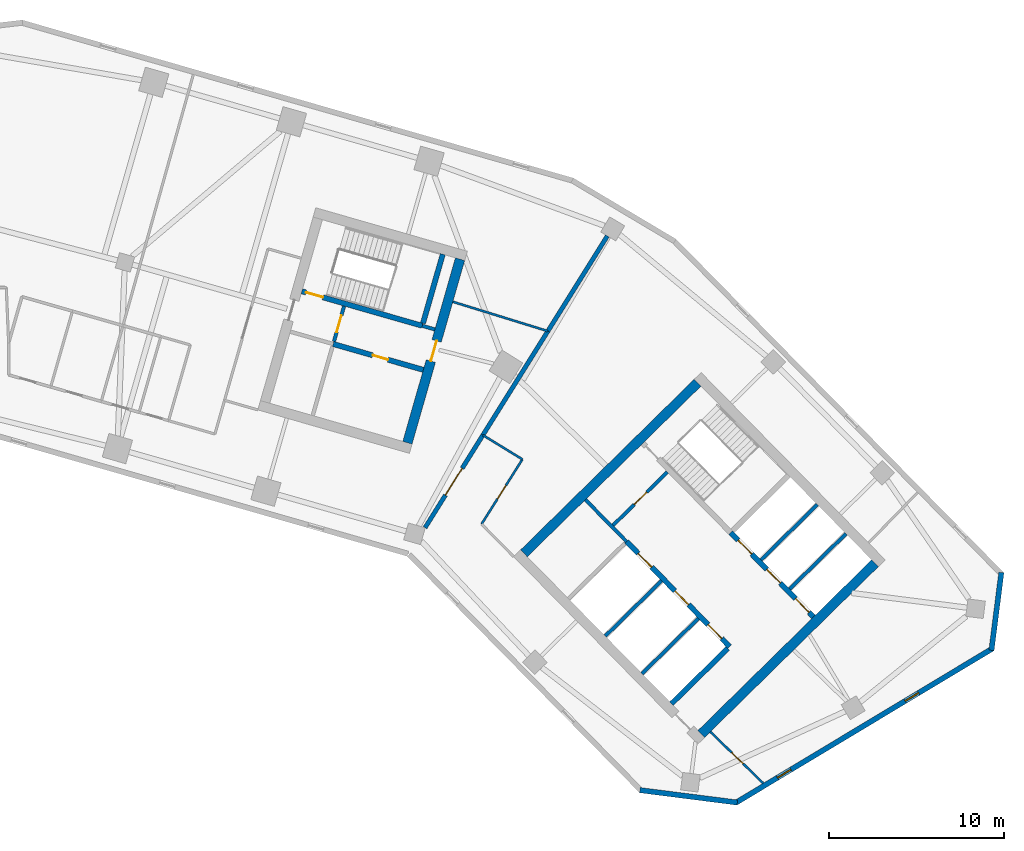
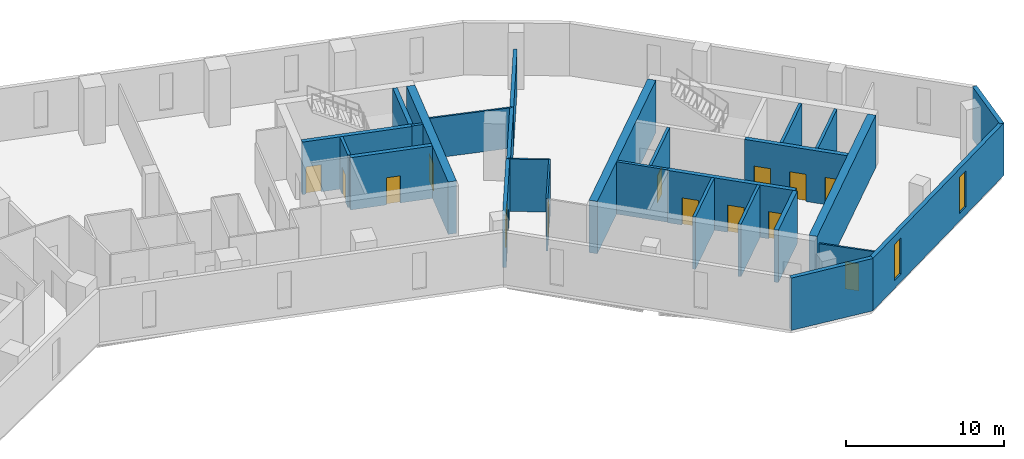
# One storey, part 6 of 10: 27 walls, 14 doors, 2 windows, 16 openings.
"""IFC4 building model written with IfcOpenShell, lengths in metres."""

from ifc_helpers import new_model, si_unit, direction, frame, frame_2d, origin, place, context, subcontext, project, spatial, rectangle, extrude, material, layer, layer_set, type_object, element, fill, save


model = new_model("IFC4")

# Units and contexts
model_context = context("Model", 3, precision=1e-05, world=origin(), true_north=direction((0.0, 1.0)))
body_context = subcontext(model_context, "Body", "Model", "MODEL_VIEW")
ifc_project = project(units=[si_unit("LENGTHUNIT", "METRE"), si_unit("AREAUNIT", "SQUARE_METRE"), si_unit("VOLUMEUNIT", "CUBIC_METRE"), si_unit("PLANEANGLEUNIT", "RADIAN"), si_unit("MASSUNIT", "GRAM", prefix="KILO")], contexts=[model_context])

# Site, building, storey
site_placement = place(None, origin())
site = spatial("IfcSite", under=ifc_project, at=site_placement, CompositionType="ELEMENT")
building_placement = place(site_placement, origin())
building = spatial("IfcBuilding", under=site, at=building_placement, Name="Binnacle Exchange Tower", CompositionType="ELEMENT")
storey_placement = place(building_placement, frame((0.0, 0.0, 145.5)))
storey = spatial("IfcBuildingStorey", under=building, at=storey_placement, Name="L30", CompositionType="ELEMENT", Elevation=145.5)

# Wall, openings, doors
ifc_material_1 = material(Name="Concrete C70/85", Category="concrete")
ifc_layer_1 = layer(ifc_material_1, 0.300048828125)
ifc_layer_set_1 = layer_set([ifc_layer_1], Name="Core wall - front 300")
wall_type_1 = type_object("IfcWallType", Name="Core wall - front 300", PredefinedType="SOLIDWALL", material=ifc_layer_set_1)
wall_1_placement = place(storey_placement, frame((37.8740234375, 41.41552734375, 0.0), z_axis=(0.0, 0.0, 1.0), x_axis=(0.700918271237, -0.71324159795, 0.0)))
wall_1 = element("IfcWall", 1, at=wall_1_placement, inside=storey, type_object=wall_type_1, Name="Core wall CRWB3", PredefinedType="SOLIDWALL", context=body_context, shape_type="SweptSolid", body=[
    extrude(rectangle(XDim=8.39990234375, YDim=0.300048828125, at=frame_2d((4.199951171875, 0.0))), origin(), (0.0, 0.0, 1.0), 4.050048828125),
])
opening_1_placement = place(wall_1_placement, frame((0.949951171875, 0.0, 0.0)))
opening_1 = element("IfcOpeningElement", 2, at=opening_1_placement, cuts=wall_1, Name="Opening LD15", PredefinedType="OPENING", context=body_context, shape_type="SweptSolid", body=[
    extrude(rectangle(XDim=1.10009765625, YDim=2.10009765625, at=frame_2d((0.550048828125, 1.050048828125))), frame((0.0, 0.159912109375, 0.0), z_axis=(0.0, -1.0, 0.0), x_axis=(1.0, 0.0, 0.0)), (0.0, 0.0, 1.0), 0.320068359375),
])
opening_2_placement = place(wall_1_placement, frame((3.949951171875, 0.0, 0.0)))
opening_2 = element("IfcOpeningElement", 3, at=opening_2_placement, cuts=wall_1, Name="Opening LD16", PredefinedType="OPENING", context=body_context, shape_type="SweptSolid", body=[
    extrude(rectangle(XDim=1.10009765625, YDim=2.10009765625, at=frame_2d((0.550048828125, 1.050048828125))), frame((0.0, 0.159912109375, 0.0), z_axis=(0.0, -1.0, 0.0), x_axis=(1.0, 0.0, 0.0)), (0.0, 0.0, 1.0), 0.320068359375),
])
opening_3_placement = place(wall_1_placement, frame((6.64990234375, 0.0, 0.0)))
opening_3 = element("IfcOpeningElement", 4, at=opening_3_placement, cuts=wall_1, Name="Opening LD4", PredefinedType="OPENING", context=body_context, shape_type="SweptSolid", body=[
    extrude(rectangle(XDim=1.10009765625, YDim=2.10009765625, at=frame_2d((0.550048828125, 1.050048828125))), frame((0.0, 0.159912109375, 0.0), z_axis=(0.0, -1.0, 0.0), x_axis=(1.0, 0.0, 0.0)), (0.0, 0.0, 1.0), 0.320068359375),
])
ifc_material_2 = material(Name="Steel door leaf", Category="steel")
door_type_1 = type_object("IfcDoorType", Name="Fire door - lift landing 1100", OperationType="NOTDEFINED", PredefinedType="DOOR", material=ifc_material_2)
door_1_placement = place(opening_1_placement, origin())
door_1 = element("IfcDoor", 5, at=door_1_placement, inside=storey, type_object=door_type_1, Name="Landing door LD15 L30", OperationType="DOUBLE_DOOR_SLIDING", OverallHeight=2.10009765625, OverallWidth=1.10009765625, PredefinedType="DOOR", context=body_context, shape_type="SweptSolid", body=[
    extrude(rectangle(XDim=1.10009765625, YDim=2.10009765625, at=frame_2d((0.550048828125, 1.050048828125))), frame((0.0, 0.02490234375, 0.0), z_axis=(0.0, -1.0, 0.0), x_axis=(1.0, 0.0, 0.0)), (0.0, 0.0, 1.0), 0.050048828125),
])
fill(opening_1, door_1)
door_2_placement = place(opening_2_placement, origin())
door_2 = element("IfcDoor", 6, at=door_2_placement, inside=storey, type_object=door_type_1, Name="Landing door LD16 L30", OperationType="DOUBLE_DOOR_SLIDING", OverallHeight=2.10009765625, OverallWidth=1.10009765625, PredefinedType="DOOR", context=body_context, shape_type="SweptSolid", body=[
    extrude(rectangle(XDim=1.10009765625, YDim=2.10009765625, at=frame_2d((0.550048828125, 1.050048828125))), frame((0.0, 0.02490234375, 0.0), z_axis=(0.0, -1.0, 0.0), x_axis=(1.0, 0.0, 0.0)), (0.0, 0.0, 1.0), 0.050048828125),
])
fill(opening_2, door_2)
door_3_placement = place(opening_3_placement, origin())
door_3 = element("IfcDoor", 7, at=door_3_placement, inside=storey, type_object=door_type_1, Name="Landing door LD4 L30", OperationType="DOUBLE_DOOR_SLIDING", OverallHeight=2.10009765625, OverallWidth=1.10009765625, PredefinedType="DOOR", context=body_context, shape_type="SweptSolid", body=[
    extrude(rectangle(XDim=1.10009765625, YDim=2.10009765625, at=frame_2d((0.550048828125, 1.050048828125))), frame((0.0, 0.02490234375, 0.0), z_axis=(0.0, -1.0, 0.0), x_axis=(1.0, 0.0, 0.0)), (0.0, 0.0, 1.0), 0.050048828125),
])
fill(opening_3, door_3)

wall_2_placement = place(storey_placement, frame((43.818603515625, 41.92919921875, 0.0), z_axis=(0.0, 0.0, 1.0), x_axis=(0.700931209592, -0.713228882912, 0.0)))
wall_2 = element("IfcWall", 8, at=wall_2_placement, inside=storey, type_object=wall_type_1, Name="Core wall CRWB5", PredefinedType="SOLIDWALL", context=body_context, shape_type="SweptSolid", body=[
    extrude(rectangle(XDim=6.75, YDim=0.300048828125, at=frame_2d((3.375, 0.0))), origin(), (0.0, 0.0, 1.0), 4.050048828125),
])
opening_4_placement = place(wall_2_placement, frame((0.614990234375, 0.0, 0.0)))
opening_4 = element("IfcOpeningElement", 9, at=opening_4_placement, cuts=wall_2, Name="Opening LD1", PredefinedType="OPENING", context=body_context, shape_type="SweptSolid", body=[
    extrude(rectangle(XDim=1.10009765625, YDim=2.10009765625, at=frame_2d((0.550048828125, 1.050048828125))), frame((0.0, 0.159912109375, 0.0), z_axis=(0.0, -1.0, 0.0), x_axis=(1.0, 0.0, 0.0)), (0.0, 0.0, 1.0), 0.320068359375),
])
opening_5_placement = place(wall_2_placement, frame((2.945068359375, 0.0, 0.0)))
opening_5 = element("IfcOpeningElement", 10, at=opening_5_placement, cuts=wall_2, Name="Opening LD2", PredefinedType="OPENING", context=body_context, shape_type="SweptSolid", body=[
    extrude(rectangle(XDim=1.10009765625, YDim=2.10009765625, at=frame_2d((0.550048828125, 1.050048828125))), frame((0.0, 0.159912109375, 0.0), z_axis=(0.0, -1.0, 0.0), x_axis=(1.0, 0.0, 0.0)), (0.0, 0.0, 1.0), 0.320068359375),
])
opening_6_placement = place(wall_2_placement, frame((5.280029296875, 0.0, 0.0)))
opening_6 = element("IfcOpeningElement", 11, at=opening_6_placement, cuts=wall_2, Name="Opening LD3", PredefinedType="OPENING", context=body_context, shape_type="SweptSolid", body=[
    extrude(rectangle(XDim=1.10009765625, YDim=2.10009765625, at=frame_2d((0.550048828125, 1.050048828125))), frame((0.0, 0.159912109375, 0.0), z_axis=(0.0, -1.0, 0.0), x_axis=(1.0, 0.0, 0.0)), (0.0, 0.0, 1.0), 0.320068359375),
])
door_4_placement = place(opening_4_placement, origin())
door_4 = element("IfcDoor", 12, at=door_4_placement, inside=storey, type_object=door_type_1, Name="Landing door LD1 L30", OperationType="DOUBLE_DOOR_SLIDING", OverallHeight=2.10009765625, OverallWidth=1.10009765625, PredefinedType="DOOR", context=body_context, shape_type="SweptSolid", body=[
    extrude(rectangle(XDim=1.10009765625, YDim=2.10009765625, at=frame_2d((0.550048828125, 1.050048828125))), frame((0.0, 0.02490234375, 0.0), z_axis=(0.0, -1.0, 0.0), x_axis=(1.0, 0.0, 0.0)), (0.0, 0.0, 1.0), 0.050048828125),
])
fill(opening_4, door_4)
door_5_placement = place(opening_5_placement, origin())
door_5 = element("IfcDoor", 13, at=door_5_placement, inside=storey, type_object=door_type_1, Name="Landing door LD2 L30", OperationType="DOUBLE_DOOR_SLIDING", OverallHeight=2.10009765625, OverallWidth=1.10009765625, PredefinedType="DOOR", context=body_context, shape_type="SweptSolid", body=[
    extrude(rectangle(XDim=1.10009765625, YDim=2.10009765625, at=frame_2d((0.550048828125, 1.050048828125))), frame((0.0, 0.02490234375, 0.0), z_axis=(0.0, -1.0, 0.0), x_axis=(1.0, 0.0, 0.0)), (0.0, 0.0, 1.0), 0.050048828125),
])
fill(opening_5, door_5)
door_6_placement = place(opening_6_placement, origin())
door_6 = element("IfcDoor", 14, at=door_6_placement, inside=storey, type_object=door_type_1, Name="Landing door LD3 L30", OperationType="DOUBLE_DOOR_SLIDING", OverallHeight=2.10009765625, OverallWidth=1.10009765625, PredefinedType="DOOR", context=body_context, shape_type="SweptSolid", body=[
    extrude(rectangle(XDim=1.10009765625, YDim=2.10009765625, at=frame_2d((0.550048828125, 1.050048828125))), frame((0.0, 0.02490234375, 0.0), z_axis=(0.0, -1.0, 0.0), x_axis=(1.0, 0.0, 0.0)), (0.0, 0.0, 1.0), 0.050048828125),
])
fill(opening_6, door_6)

# Wall
wall_3_placement = place(storey_placement, frame((40.445068359375, 32.1650390625, 0.0), z_axis=(0.0, 0.0, 1.0), x_axis=(0.713264577552, 0.700894886848, 0.0)))
element("IfcWall", 15, at=wall_3_placement, inside=storey, type_object=wall_type_1, Name="Core wall CRWB14", PredefinedType="SOLIDWALL", context=body_context, shape_type="SweptSolid", body=[
    extrude(rectangle(XDim=4.5, YDim=0.300048828125, at=frame_2d((2.25, 0.0))), origin(), (0.0, 0.0, 1.0), 4.050048828125),
])

# Wall, opening, door
wall_4_placement = place(storey_placement, frame((21.130859375, 52.6923828125, 0.0), z_axis=(0.0, 0.0, 1.0), x_axis=(0.961265220997, -0.27562506218, 0.0)))
wall_4 = element("IfcWall", 16, at=wall_4_placement, inside=storey, type_object=wall_type_1, Name="Core wall CRWD3", PredefinedType="SOLIDWALL", context=body_context, shape_type="SweptSolid", body=[
    extrude(rectangle(XDim=5.35009765625, YDim=0.300048828125, at=frame_2d((2.675048828125, 0.0))), origin(), (0.0, 0.0, 1.0), 4.050048828125),
])
opening_7_placement = place(wall_4_placement, frame((2.35009765625, 0.0, 0.0)))
opening_7 = element("IfcOpeningElement", 17, at=opening_7_placement, cuts=wall_4, Name="Opening DD10", PredefinedType="OPENING", context=body_context, shape_type="SweptSolid", body=[
    extrude(rectangle(XDim=0.89990234375, YDim=2.10009765625, at=frame_2d((0.449951171875, 1.050048828125))), frame((0.0, 0.159912109375, 0.0), z_axis=(0.0, -1.0, 0.0), x_axis=(1.0, 0.0, 0.0)), (0.0, 0.0, 1.0), 0.320068359375),
])
door_type_2 = type_object("IfcDoorType", Name="Fire door 900", OperationType="NOTDEFINED", PredefinedType="DOOR", material=ifc_material_2)
door_7_placement = place(opening_7_placement, frame((0.89990234375, 0.0, 0.0), z_axis=(0.0, 0.0, 1.0), x_axis=(-1.0, 0.0, 0.0)))
door_7 = element("IfcDoor", 18, at=door_7_placement, inside=storey, type_object=door_type_2, Name="Core room door TELECOM RISER ROOM", OperationType="SINGLE_SWING_LEFT", OverallHeight=2.10009765625, OverallWidth=0.89990234375, PredefinedType="DOOR", context=body_context, shape_type="SweptSolid", body=[
    extrude(rectangle(XDim=0.89990234375, YDim=2.10009765625, at=frame_2d((0.449951171875, 1.050048828125))), frame((0.0, 0.02490234375, 0.0), z_axis=(0.0, -1.0, 0.0), x_axis=(1.0, 0.0, 0.0)), (0.0, 0.0, 1.0), 0.050048828125),
])
fill(opening_7, door_7)

# Walls
ifc_layer_2 = layer(ifc_material_1, 0.550048828125)
ifc_layer_set_2 = layer_set([ifc_layer_2], Name="Core wall - outer 550")
wall_type_2 = type_object("IfcWallType", Name="Core wall - outer 550", PredefinedType="SOLIDWALL", material=ifc_layer_set_2)
for number, where, z_axis, x_axis, name in (
    (19, (32.0166015625, 40.74169921875, 0.0), (0.0, 0.0, 1.0), (0.713253550094, 0.700906108746, 0.0), "Core wall CRWB7"),
    (20, (42.144775390625, 30.435302734375, 0.0), (0.0, 0.0, 1.0), (0.713253550094, 0.700906108746, 0.0), "Core wall CRWB16"),
):
    element("IfcWall", number, at=place(storey_placement, frame(where, z_axis=z_axis, x_axis=x_axis)), inside=storey, type_object=wall_type_2, Name=name, PredefinedType="SOLIDWALL", context=body_context, shape_type="SweptSolid", body=[
        extrude(rectangle(XDim=13.900146484375, YDim=0.550048828125, at=frame_2d((6.9501953125, 0.0))), origin(), (0.0, 0.0, 1.0), 4.050048828125),
    ])

# Wall, opening, door
wall_5_placement = place(storey_placement, frame((25.366455078125, 47.056640625, 0.0), z_axis=(0.0, 0.0, 1.0), x_axis=(0.275632146085, 0.96126318979, 0.0)))
wall_5 = element("IfcWall", 21, at=wall_5_placement, inside=storey, type_object=wall_type_2, Name="Core wall CRWD12", PredefinedType="SOLIDWALL", context=body_context, shape_type="SweptSolid", body=[
    extrude(rectangle(XDim=10.89990234375, YDim=0.550048828125, at=frame_2d((5.449951171875, 0.0))), origin(), (0.0, 0.0, 1.0), 4.050048828125),
])
opening_8_placement = place(wall_5_placement, frame((4.849853515625, 0.0, 0.0)))
opening_8 = element("IfcOpeningElement", 22, at=opening_8_placement, cuts=wall_5, Name="Opening DD6", PredefinedType="OPENING", context=body_context, shape_type="SweptSolid", body=[
    extrude(rectangle(XDim=1.199951171875, YDim=2.10009765625, at=frame_2d((0.60009765625, 1.050048828125))), frame((0.0, 0.284912109375, 0.0), z_axis=(0.0, -1.0, 0.0), x_axis=(1.0, 0.0, 0.0)), (0.0, 0.0, 1.0), 0.570068359375),
])
door_type_3 = type_object("IfcDoorType", Name="Fire door 1200", OperationType="NOTDEFINED", PredefinedType="DOOR", material=ifc_material_2)
door_8_placement = place(opening_8_placement, frame((1.199951171875, 0.0, 0.0), z_axis=(0.0, 0.0, 1.0), x_axis=(-1.0, 0.0, 0.0)))
door_8 = element("IfcDoor", 23, at=door_8_placement, inside=storey, type_object=door_type_3, Name="Core passage exit door", OperationType="SINGLE_SWING_RIGHT", OverallHeight=2.10009765625, OverallWidth=1.199951171875, PredefinedType="DOOR", context=body_context, shape_type="SweptSolid", body=[
    extrude(rectangle(XDim=1.199951171875, YDim=2.10009765625, at=frame_2d((0.60009765625, 1.050048828125))), frame((0.0, 0.02490234375, 0.0), z_axis=(0.0, -1.0, 0.0), x_axis=(1.0, 0.0, 0.0)), (0.0, 0.0, 1.0), 0.050048828125),
])
fill(opening_8, door_8)

ifc_layer_3 = layer(ifc_material_1, 0.300048828125)
ifc_layer_set_3 = layer_set([ifc_layer_3], Name="Core wall - stair 300")
wall_type_3 = type_object("IfcWallType", Name="Core wall - stair 300", PredefinedType="SOLIDWALL", material=ifc_layer_set_3)
wall_6_placement = place(storey_placement, frame((19.34130859375, 55.702392578125, 0.0), z_axis=(0.0, 0.0, 1.0), x_axis=(0.961263228157, -0.27563201228, 0.0)))
wall_6 = element("IfcWall", 24, at=wall_6_placement, inside=storey, type_object=wall_type_3, Name="Core wall CRWD4", PredefinedType="SOLIDWALL", context=body_context, shape_type="SweptSolid", body=[
    extrude(rectangle(XDim=7.149658203125, YDim=0.300048828125, at=frame_2d((3.57470703125, 0.0))), origin(), (0.0, 0.0, 1.0), 4.050048828125),
])
opening_9_placement = place(wall_6_placement, frame((0.25, 0.0, 0.0)))
opening_9 = element("IfcOpeningElement", 25, at=opening_9_placement, cuts=wall_6, Name="Opening DD1", PredefinedType="OPENING", context=body_context, shape_type="SweptSolid", body=[
    extrude(rectangle(XDim=1.0, YDim=2.10009765625, at=frame_2d((0.5, 1.050048828125))), frame((0.0, 0.159912109375, 0.0), z_axis=(0.0, -1.0, 0.0), x_axis=(1.0, 0.0, 0.0)), (0.0, 0.0, 1.0), 0.320068359375),
])
door_type_4 = type_object("IfcDoorType", Name="Fire door 1000", OperationType="NOTDEFINED", PredefinedType="DOOR", material=ifc_material_2)
door_9_placement = place(opening_9_placement, origin())
door_9 = element("IfcDoor", 26, at=door_9_placement, inside=storey, type_object=door_type_4, Name="Stair door ST-D1", OperationType="SINGLE_SWING_LEFT", OverallHeight=2.10009765625, OverallWidth=1.0, PredefinedType="DOOR", context=body_context, shape_type="SweptSolid", body=[
    extrude(rectangle(XDim=1.0, YDim=2.10009765625, at=frame_2d((0.5, 1.050048828125))), frame((0.0, 0.02490234375, 0.0), z_axis=(0.0, -1.0, 0.0), x_axis=(1.0, 0.0, 0.0)), (0.0, 0.0, 1.0), 0.050048828125),
])
fill(opening_9, door_9)

# Walls
wall_7_placement = place(storey_placement, frame((26.255615234375, 53.875732421875, 0.0), z_axis=(0.0, 0.0, 1.0), x_axis=(0.275641165445, 0.961260603537, 0.0)))
element("IfcWall", 27, at=wall_7_placement, inside=storey, type_object=wall_type_3, Name="Core wall CRWD11", PredefinedType="SOLIDWALL", context=body_context, shape_type="SweptSolid", body=[
    extrude(rectangle(XDim=4.10009765625, YDim=0.300048828125, at=frame_2d((2.050048828125, 0.0))), origin(), (0.0, 0.0, 1.0), 4.050048828125),
])
ifc_material_3 = material(Name="Bronze aluminium cladding", Category="aluminium")
ifc_layer_4 = layer(ifc_material_3, 0.300048828125)
ifc_layer_set_4 = layer_set([ifc_layer_4], Name="External wall - spandrel 300")
wall_type_4 = type_object("IfcWallType", Name="External wall - spandrel 300", PredefinedType="STANDARD", material=ifc_layer_set_4)
wall_8_placement = place(storey_placement, frame((44.19580078125, 26.517822265625, 0.0), z_axis=(0.0, 0.0, 1.0), x_axis=(-0.992001881269, 0.126223086474, 0.0)))
element("IfcWall", 28, at=wall_8_placement, inside=storey, type_object=wall_type_4, Name="External wall EW-F10 L30", PredefinedType="STANDARD", context=body_context, shape_type="SweptSolid", body=[
    extrude(rectangle(XDim=5.6015625, YDim=0.300048828125, at=frame_2d((2.80078125, 0.0))), origin(), (0.0, 0.0, 1.0), 4.050048828125),
])

# Wall, openings, windows
wall_9_placement = place(storey_placement, frame((58.7783203125, 35.317626953125, 0.0), z_axis=(0.0, 0.0, 1.0), x_axis=(-0.857168206138, -0.515036568009, 0.0)))
wall_9 = element("IfcWall", 29, at=wall_9_placement, inside=storey, type_object=wall_type_4, Name="External wall EW-F11 L30", PredefinedType="STANDARD", context=body_context, shape_type="SweptSolid", body=[
    extrude(rectangle(XDim=17.124755859375, YDim=0.300048828125, at=frame_2d((8.5625, 0.0))), origin(), (0.0, 0.0, 1.0), 4.050048828125),
])
opening_10_placement = place(wall_9_placement, frame((13.435302734375, 0.0, 0.60009765625)))
opening_10 = element("IfcOpeningElement", 30, at=opening_10_placement, cuts=wall_9, Name="Opening WS2", PredefinedType="OPENING", context=body_context, shape_type="SweptSolid", body=[
    extrude(rectangle(XDim=0.89990234375, YDim=2.800048828125, at=frame_2d((0.449951171875, 1.39990234375))), frame((0.0, 0.159912109375, 0.0), z_axis=(0.0, -1.0, 0.0), x_axis=(1.0, 0.0, 0.0)), (0.0, 0.0, 1.0), 0.320068359375),
])
opening_11_placement = place(wall_9_placement, frame((4.935302734375, 0.0, 0.60009765625)))
opening_11 = element("IfcOpeningElement", 31, at=opening_11_placement, cuts=wall_9, Name="Opening WS2", PredefinedType="OPENING", context=body_context, shape_type="SweptSolid", body=[
    extrude(rectangle(XDim=0.89990234375, YDim=2.800048828125, at=frame_2d((0.449951171875, 1.39990234375))), frame((0.0, 0.159912109375, 0.0), z_axis=(0.0, -1.0, 0.0), x_axis=(1.0, 0.0, 0.0)), (0.0, 0.0, 1.0), 0.320068359375),
])
ifc_material_4 = material(Name="Bronze anodised aluminium frame", Category="aluminium")
window_type = type_object("IfcWindowType", Name="WS2 WINDOW 900x2800", PartitioningType="SINGLE_PANEL", PredefinedType="WINDOW", material=ifc_material_4)
window_1_placement = place(opening_10_placement, origin())
window_1 = element("IfcWindow", 32, at=window_1_placement, inside=storey, type_object=window_type, Name="Window WS2 L30", OverallHeight=2.800048828125, OverallWidth=0.89990234375, PartitioningType="SINGLE_PANEL", PredefinedType="WINDOW", context=body_context, shape_type="SweptSolid", body=[
    extrude(rectangle(XDim=0.89990234375, YDim=2.800048828125, at=frame_2d((0.449951171875, 1.39990234375))), frame((0.0, 0.030029296875, 0.0), z_axis=(0.0, -1.0, 0.0), x_axis=(1.0, 0.0, 0.0)), (0.0, 0.0, 1.0), 0.06005859375),
])
fill(opening_10, window_1)
window_2_placement = place(opening_11_placement, origin())
window_2 = element("IfcWindow", 33, at=window_2_placement, inside=storey, type_object=window_type, Name="Window WS2 L30", OverallHeight=2.800048828125, OverallWidth=0.89990234375, PartitioningType="SINGLE_PANEL", PredefinedType="WINDOW", context=body_context, shape_type="SweptSolid", body=[
    extrude(rectangle(XDim=0.89990234375, YDim=2.800048828125, at=frame_2d((0.449951171875, 1.39990234375))), frame((0.0, 0.030029296875, 0.0), z_axis=(0.0, -1.0, 0.0), x_axis=(1.0, 0.0, 0.0)), (0.0, 0.0, 1.0), 0.06005859375),
])
fill(opening_11, window_2)

# Wall
wall_10_placement = place(storey_placement, frame((59.27197265625, 39.6513671875, 0.0), z_axis=(0.0, 0.0, 1.0), x_axis=(-0.126181137886, -0.992007217938, 0.0)))
element("IfcWall", 34, at=wall_10_placement, inside=storey, type_object=wall_type_4, Name="External wall EW-F12 L30", PredefinedType="STANDARD", context=body_context, shape_type="SweptSolid", body=[
    extrude(rectangle(XDim=4.479248046875, YDim=0.300048828125, at=frame_2d((2.23974609375, 0.0))), origin(), (0.0, 0.0, 1.0), 4.050048828125),
])

# Wall, opening, door
ifc_material_5 = material(Name="Concrete fire wall C30/37", Category="concrete")
ifc_layer_5 = layer(ifc_material_5, 0.25)
ifc_layer_set_5 = layer_set([ifc_layer_5], Name="Fire wall - compartment 250")
wall_type_5 = type_object("IfcWallType", Name="Fire wall - compartment 250", PredefinedType="PARTITIONING", material=ifc_layer_set_5)
wall_11_placement = place(storey_placement, frame((26.373046875, 42.2060546875, 0.0), z_axis=(0.0, 0.0, 1.0), x_axis=(0.52987567935, 0.848075329457, 0.0)))
wall_11 = element("IfcWall", 35, at=wall_11_placement, inside=storey, type_object=wall_type_5, Name="Fire Wall W33", PredefinedType="PARTITIONING", context=body_context, shape_type="SweptSolid", body=[
    extrude(rectangle(XDim=6.231689453125, YDim=0.25, at=frame_2d((3.11572265625, 0.0))), origin(), (0.0, 0.0, 1.0), 4.050048828125),
])
opening_12_placement = place(wall_11_placement, frame((2.199951171875, 0.0, 0.0)))
opening_12 = element("IfcOpeningElement", 36, at=opening_12_placement, cuts=wall_11, Name="Opening DL28-12", PredefinedType="OPENING", context=body_context, shape_type="SweptSolid", body=[
    extrude(rectangle(XDim=1.800048828125, YDim=2.10009765625, at=frame_2d((0.89990234375, 1.050048828125))), frame((0.0, 0.135009765625, 0.0), z_axis=(0.0, -1.0, 0.0), x_axis=(1.0, 0.0, 0.0)), (0.0, 0.0, 1.0), 0.27001953125),
])
door_type_5 = type_object("IfcDoorType", Name="Fire door 1800", OperationType="NOTDEFINED", PredefinedType="DOOR", material=ifc_material_2)
door_10_placement = place(opening_12_placement, origin())
door_10 = element("IfcDoor", 37, at=door_10_placement, inside=storey, type_object=door_type_5, Name="Door DL28-12", OperationType="DOUBLE_DOOR_SINGLE_SWING", OverallHeight=2.10009765625, OverallWidth=1.800048828125, PredefinedType="DOOR", context=body_context, shape_type="SweptSolid", body=[
    extrude(rectangle(XDim=1.800048828125, YDim=2.10009765625, at=frame_2d((0.89990234375, 1.050048828125))), frame((0.0, 0.02490234375, 0.0), z_axis=(0.0, -1.0, 0.0), x_axis=(1.0, 0.0, 0.0)), (0.0, 0.0, 1.0), 0.050048828125),
])
fill(opening_12, door_10)

# Walls
wall_12_placement = place(storey_placement, frame((29.675048828125, 47.490966796875, 0.0), z_axis=(0.0, 0.0, 1.0), x_axis=(0.529992669945, 0.848002222759, 0.0)))
element("IfcWall", 38, at=wall_12_placement, inside=storey, type_object=wall_type_5, Name="Fire Wall W38", PredefinedType="PARTITIONING", context=body_context, shape_type="SweptSolid", body=[
    extrude(rectangle(XDim=7.0, YDim=0.25, at=frame_2d((3.5, 0.0))), origin(), (0.0, 0.0, 1.0), 3.1298828125),
])
wall_13_placement = place(storey_placement, frame((33.385009765625, 53.427001953125, 0.0), z_axis=(0.0, 0.0, 1.0), x_axis=(0.52989620904, 0.848062502204, 0.0)))
element("IfcWall", 39, at=wall_13_placement, inside=storey, type_object=wall_type_5, Name="Fire Wall W39", PredefinedType="PARTITIONING", context=body_context, shape_type="SweptSolid", body=[
    extrude(rectangle(XDim=6.40869140625, YDim=0.25, at=frame_2d((3.204345703125, 0.0))), origin(), (0.0, 0.0, 1.0), 3.1298828125),
])

# Wall, opening, door
ifc_material_6 = material(Name="Masonry block wall", Category="masonry")
ifc_layer_6 = layer(ifc_material_6, 0.199951171875)
ifc_layer_set_6 = layer_set([ifc_layer_6], Name="Fire wall - vestibule 200")
wall_type_6 = type_object("IfcWallType", Name="Fire wall - vestibule 200", PredefinedType="PARTITIONING", material=ifc_layer_set_6)
wall_14_placement = place(storey_placement, frame((37.104248046875, 42.341552734375, 0.0), z_axis=(0.0, 0.0, 1.0), x_axis=(0.713281298468, 0.700877870428, 0.0)))
wall_14 = element("IfcWall", 40, at=wall_14_placement, inside=storey, type_object=wall_type_6, Name="Core wall CRWB8", PredefinedType="PARTITIONING", context=body_context, shape_type="SweptSolid", body=[
    extrude(rectangle(XDim=4.35009765625, YDim=0.199951171875, at=frame_2d((2.175048828125, 0.0))), origin(), (0.0, 0.0, 1.0), 4.050048828125),
])
opening_13_placement = place(wall_14_placement, frame((1.699951171875, 0.0, 0.0)))
opening_13 = element("IfcOpeningElement", 41, at=opening_13_placement, cuts=wall_14, Name="Opening DB3", PredefinedType="OPENING", context=body_context, shape_type="SweptSolid", body=[
    extrude(rectangle(XDim=1.0, YDim=2.10009765625, at=frame_2d((0.5, 1.050048828125))), frame((0.0, 0.10986328125, 0.0), z_axis=(0.0, -1.0, 0.0), x_axis=(1.0, 0.0, 0.0)), (0.0, 0.0, 1.0), 0.219970703125),
])
door_11_placement = place(opening_13_placement, origin())
door_11 = element("IfcDoor", 42, at=door_11_placement, inside=storey, type_object=door_type_4, Name="Vestibule door VEST-W", OperationType="SINGLE_SWING_RIGHT", OverallHeight=2.10009765625, OverallWidth=1.0, PredefinedType="DOOR", context=body_context, shape_type="SweptSolid", body=[
    extrude(rectangle(XDim=1.0, YDim=2.10009765625, at=frame_2d((0.5, 1.050048828125))), frame((0.0, 0.02490234375, 0.0), z_axis=(0.0, -1.0, 0.0), x_axis=(1.0, 0.0, 0.0)), (0.0, 0.0, 1.0), 0.050048828125),
])
fill(opening_13, door_11)

wall_15_placement = place(storey_placement, frame((21.172119140625, 52.836669921875, 0.0), z_axis=(0.0, 0.0, 1.0), x_axis=(0.275657676022, 0.961255868981, 0.0)))
wall_15 = element("IfcWall", 43, at=wall_15_placement, inside=storey, type_object=wall_type_6, Name="Core wall CRWD9", PredefinedType="PARTITIONING", context=body_context, shape_type="SweptSolid", body=[
    extrude(rectangle(XDim=2.099853515625, YDim=0.199951171875, at=frame_2d((1.0498046875, 0.0))), origin(), (0.0, 0.0, 1.0), 4.050048828125),
])
opening_14_placement = place(wall_15_placement, frame((0.550048828125, 0.0, 0.0)))
opening_14 = element("IfcOpeningElement", 44, at=opening_14_placement, cuts=wall_15, Name="Opening DD3", PredefinedType="OPENING", context=body_context, shape_type="SweptSolid", body=[
    extrude(rectangle(XDim=1.0, YDim=2.10009765625, at=frame_2d((0.5, 1.050048828125))), frame((0.0, 0.10986328125, 0.0), z_axis=(0.0, -1.0, 0.0), x_axis=(1.0, 0.0, 0.0)), (0.0, 0.0, 1.0), 0.219970703125),
])
door_12_placement = place(opening_14_placement, origin())
door_12 = element("IfcDoor", 45, at=door_12_placement, inside=storey, type_object=door_type_4, Name="Vestibule door VEST-W", OperationType="SINGLE_SWING_RIGHT", OverallHeight=2.10009765625, OverallWidth=1.0, PredefinedType="DOOR", context=body_context, shape_type="SweptSolid", body=[
    extrude(rectangle(XDim=1.0, YDim=2.10009765625, at=frame_2d((0.5, 1.050048828125))), frame((0.0, 0.02490234375, 0.0), z_axis=(0.0, -1.0, 0.0), x_axis=(1.0, 0.0, 0.0)), (0.0, 0.0, 1.0), 0.050048828125),
])
fill(opening_14, door_12)

# Wall
ifc_material_7 = material(Name="Gypsum partition")
ifc_layer_7 = layer(ifc_material_7, 0.125)
ifc_layer_set_7 = layer_set([ifc_layer_7], Name="Partition 125")
wall_type_7 = type_object("IfcWallType", Name="Partition 125", PredefinedType="PARTITIONING", material=ifc_layer_set_7)
wall_16_placement = place(storey_placement, frame((27.9599609375, 55.10302734375, 0.0), z_axis=(0.0, 0.0, 1.0), x_axis=(0.955442775069, -0.29517639399, 0.0)))
element("IfcWall", 46, at=wall_16_placement, inside=storey, type_object=wall_type_7, Name="Partition W34", PredefinedType="PARTITIONING", context=body_context, shape_type="SweptSolid", body=[
    extrude(rectangle(XDim=5.677978515625, YDim=0.125, at=frame_2d((2.8388671875, 0.0))), origin(), (0.0, 0.0, 1.0), 3.1298828125),
])

# Wall, opening, door
wall_17_placement = place(storey_placement, frame((29.60009765625, 42.416015625, 0.0), z_axis=(0.0, 0.0, 1.0), x_axis=(0.533582711531, 0.84574788794, 0.0)))
wall_17 = element("IfcWall", 47, at=wall_17_placement, inside=storey, type_object=wall_type_7, Name="Partition W36", PredefinedType="PARTITIONING", context=body_context, shape_type="SweptSolid", body=[
    extrude(rectangle(XDim=4.366455078125, YDim=0.125, at=frame_2d((2.18310546875, 0.0))), origin(), (0.0, 0.0, 1.0), 4.050048828125),
])
opening_15_placement = place(wall_17_placement, frame((1.699951171875, 0.0, 0.0)))
opening_15 = element("IfcOpeningElement", 48, at=opening_15_placement, cuts=wall_17, Name="Opening DL28-09", PredefinedType="OPENING", context=body_context, shape_type="SweptSolid", body=[
    extrude(rectangle(XDim=0.89990234375, YDim=2.10009765625, at=frame_2d((0.449951171875, 1.050048828125))), frame((0.0, 0.072509765625, 0.0), z_axis=(0.0, -1.0, 0.0), x_axis=(1.0, 0.0, 0.0)), (0.0, 0.0, 1.0), 0.14501953125),
])
ifc_material_8 = material(Name="Timber door leaf", Category="wood")
door_type_6 = type_object("IfcDoorType", Name="Door 900", OperationType="NOTDEFINED", PredefinedType="DOOR", material=ifc_material_8)
door_13_placement = place(opening_15_placement, frame((0.89990234375, 0.0, 0.0), z_axis=(0.0, 0.0, 1.0), x_axis=(-1.0, 0.0, 0.0)))
door_13 = element("IfcDoor", 49, at=door_13_placement, inside=storey, type_object=door_type_6, Name="Door DL28-09", OperationType="SINGLE_SWING_RIGHT", OverallHeight=2.10009765625, OverallWidth=0.89990234375, PredefinedType="DOOR", context=body_context, shape_type="SweptSolid", body=[
    extrude(rectangle(XDim=0.89990234375, YDim=2.10009765625, at=frame_2d((0.449951171875, 1.050048828125))), frame((0.0, 0.02490234375, 0.0), z_axis=(0.0, -1.0, 0.0), x_axis=(1.0, 0.0, 0.0)), (0.0, 0.0, 1.0), 0.050048828125),
])
fill(opening_15, door_13)

# Wall
wall_18_placement = place(storey_placement, frame((29.675048828125, 47.490966796875, 0.0), z_axis=(0.0, 0.0, 1.0), x_axis=(0.852591965232, -0.522577210392, 0.0)))
element("IfcWall", 50, at=wall_18_placement, inside=storey, type_object=wall_type_7, Name="Partition W37", PredefinedType="PARTITIONING", context=body_context, shape_type="SweptSolid", body=[
    extrude(rectangle(XDim=2.644775390625, YDim=0.125, at=frame_2d((1.322265625, 0.0))), origin(), (0.0, 0.0, 1.0), 4.050048828125),
])

# Wall, opening, door
wall_19_placement = place(storey_placement, frame((42.658935546875, 30.554931640625, 0.0), z_axis=(0.0, 0.0, 1.0), x_axis=(0.716925671772, -0.697149611743, 0.0)))
wall_19 = element("IfcWall", 51, at=wall_19_placement, inside=storey, type_object=wall_type_7, Name="Partition W40", PredefinedType="PARTITIONING", context=body_context, shape_type="SweptSolid", body=[
    extrude(rectangle(XDim=4.209716796875, YDim=0.125, at=frame_2d((2.10498046875, 0.0))), origin(), (0.0, 0.0, 1.0), 3.22998046875),
])
opening_16_placement = place(wall_19_placement, frame((1.699951171875, 0.0, 0.0)))
opening_16 = element("IfcOpeningElement", 52, at=opening_16_placement, cuts=wall_19, Name="Opening DL28-10", PredefinedType="OPENING", context=body_context, shape_type="SweptSolid", body=[
    extrude(rectangle(XDim=0.89990234375, YDim=2.10009765625, at=frame_2d((0.449951171875, 1.050048828125))), frame((0.0, 0.072509765625, 0.0), z_axis=(0.0, -1.0, 0.0), x_axis=(1.0, 0.0, 0.0)), (0.0, 0.0, 1.0), 0.14501953125),
])
door_14_placement = place(opening_16_placement, origin())
door_14 = element("IfcDoor", 53, at=door_14_placement, inside=storey, type_object=door_type_6, Name="Door DL28-10", OperationType="SINGLE_SWING_RIGHT", OverallHeight=2.10009765625, OverallWidth=0.89990234375, PredefinedType="DOOR", context=body_context, shape_type="SweptSolid", body=[
    extrude(rectangle(XDim=0.89990234375, YDim=2.10009765625, at=frame_2d((0.449951171875, 1.050048828125))), frame((0.0, 0.02490234375, 0.0), z_axis=(0.0, -1.0, 0.0), x_axis=(1.0, 0.0, 0.0)), (0.0, 0.0, 1.0), 0.050048828125),
])
fill(opening_16, door_14)

# Walls
ifc_layer_8 = layer(ifc_material_6, 0.199951171875)
ifc_layer_set_8 = layer_set([ifc_layer_8], Name="Riser wall 200")
wall_type_8 = type_object("IfcWallType", Name="Riser wall 200", PredefinedType="SOLIDWALL", material=ifc_layer_set_8)
wall_20_placement = place(storey_placement, frame((35.526123046875, 43.804931640625, 0.0), z_axis=(0.0, 0.0, 1.0), x_axis=(0.700884863746, -0.713274426691, 0.0)))
element("IfcWall", 54, at=wall_20_placement, inside=storey, type_object=wall_type_8, Name="Core wall CRWB2", PredefinedType="SOLIDWALL", context=body_context, shape_type="SweptSolid", body=[
    extrude(rectangle(XDim=3.349853515625, YDim=0.199951171875, at=frame_2d((1.6748046875, 0.0))), origin(), (0.0, 0.0, 1.0), 4.050048828125),
])
wall_21_placement = place(storey_placement, frame((26.214111328125, 53.731689453125, 0.0), z_axis=(0.0, 0.0, 1.0), x_axis=(0.961240918172, -0.275709806194, 0.0)))
element("IfcWall", 55, at=wall_21_placement, inside=storey, type_object=wall_type_8, Name="Core wall CRWD5", PredefinedType="SOLIDWALL", context=body_context, shape_type="SweptSolid", body=[
    extrude(rectangle(XDim=0.75, YDim=0.199951171875, at=frame_2d((0.375, 0.0))), origin(), (0.0, 0.0, 1.0), 4.050048828125),
])
ifc_layer_9 = layer(ifc_material_6, 0.199951171875)
ifc_layer_set_9 = layer_set([ifc_layer_9], Name="Shaft wall 200")
wall_type_9 = type_object("IfcWallType", Name="Shaft wall 200", PredefinedType="SOLIDWALL", material=ifc_layer_set_9)
wall_22_placement = place(storey_placement, frame((36.66015625, 36.0166015625, 0.0), z_axis=(0.0, 0.0, 1.0), x_axis=(0.713264577552, 0.700894886848, 0.0)))
element("IfcWall", 56, at=wall_22_placement, inside=storey, type_object=wall_type_9, Name="Core wall CRWB10", PredefinedType="SOLIDWALL", context=body_context, shape_type="SweptSolid", body=[
    extrude(rectangle(XDim=4.5, YDim=0.199951171875, at=frame_2d((2.25, 0.0))), origin(), (0.0, 0.0, 1.0), 4.050048828125),
])
wall_23_placement = place(storey_placement, frame((38.762939453125, 33.876708984375, 0.0), z_axis=(0.0, 0.0, 1.0), x_axis=(0.713237455685, 0.700922486305, 0.0)))
element("IfcWall", 57, at=wall_23_placement, inside=storey, type_object=wall_type_9, Name="Core wall CRWB12", PredefinedType="SOLIDWALL", context=body_context, shape_type="SweptSolid", body=[
    extrude(rectangle(XDim=4.500244140625, YDim=0.199951171875, at=frame_2d((2.25, 0.0))), origin(), (0.0, 0.0, 1.0), 4.050048828125),
])
for number, where, z_axis, x_axis, name in (
    (58, (45.55859375, 40.37255859375, 0.0), (0.0, 0.0, 1.0), (0.713264577552, 0.700894886848, 0.0), "Core wall CRWB13"),
    (59, (47.191650390625, 38.710693359375, 0.0), (0.0, 0.0, 1.0), (0.713264577552, 0.700894886848, 0.0), "Core wall CRWB15"),
):
    element("IfcWall", number, at=place(storey_placement, frame(where, z_axis=z_axis, x_axis=x_axis)), inside=storey, type_object=wall_type_9, Name=name, PredefinedType="SOLIDWALL", context=body_context, shape_type="SweptSolid", body=[
        extrude(rectangle(XDim=4.5, YDim=0.199951171875, at=frame_2d((2.25, 0.0))), origin(), (0.0, 0.0, 1.0), 4.050048828125),
    ])

save(model, "model.ifc")
